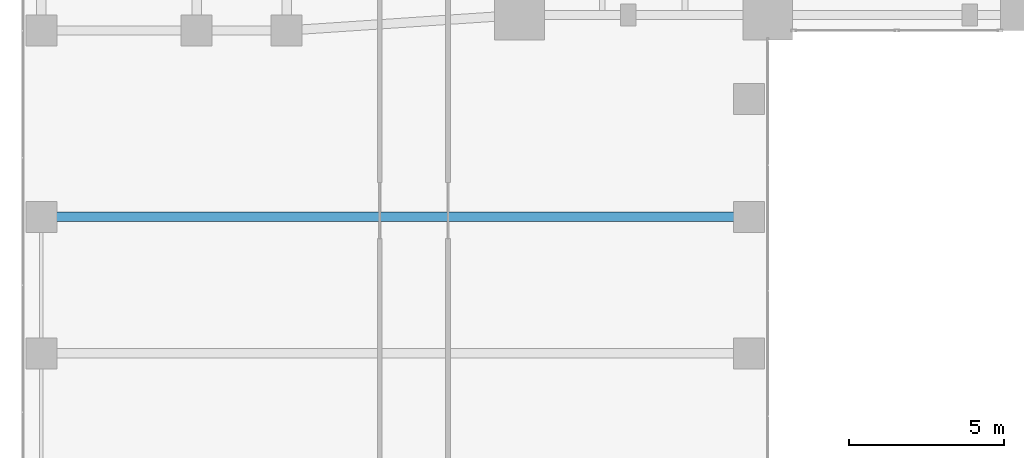
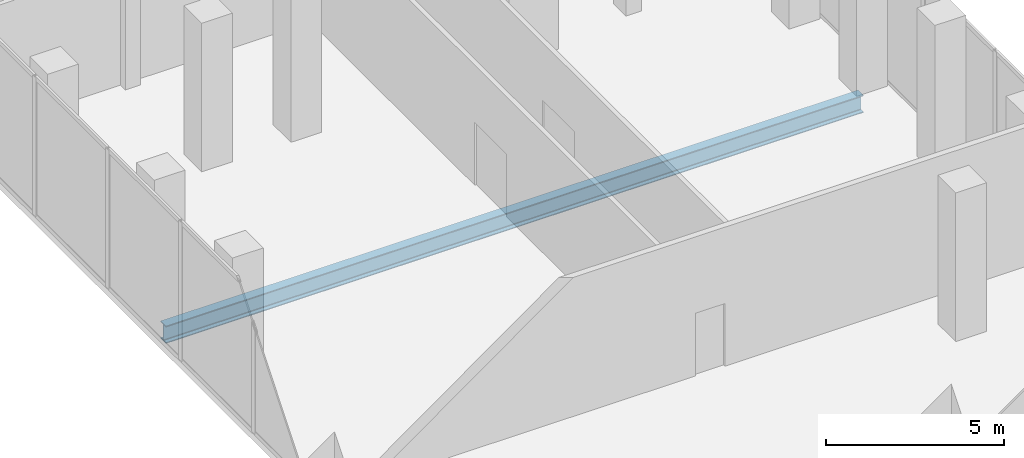
# One storey, part 7 of 24: 1 beam.
"""IFC4 building model written with IfcOpenShell, lengths in metres."""

from ifc_helpers import new_model, si_unit, direction, frame, origin, origin_2d, place, context, subcontext, project, spatial, i_section, extrude, material, material_profile, profile_set, type_object, element, save


model = new_model("IFC4")

# Units and contexts
model_context = context("Model", 3, precision=1e-05, world=origin(), true_north=direction((0.0, 1.0)))
body_context = subcontext(model_context, "Body", "Model", "MODEL_VIEW")
ifc_project = project(units=[si_unit("LENGTHUNIT", "METRE"), si_unit("AREAUNIT", "SQUARE_METRE"), si_unit("VOLUMEUNIT", "CUBIC_METRE"), si_unit("PLANEANGLEUNIT", "RADIAN"), si_unit("MASSUNIT", "GRAM", prefix="KILO")], contexts=[model_context])

# Site, building, storey
site_placement = place(None, origin())
site = spatial("IfcSite", under=ifc_project, at=site_placement, CompositionType="ELEMENT")
building_placement = place(site_placement, origin())
building = spatial("IfcBuilding", under=site, at=building_placement, Name="Catumbela Crestline Tower", CompositionType="ELEMENT")
storey_placement = place(building_placement, frame((0.0, 0.0, 6.0)))
storey = spatial("IfcBuildingStorey", under=building, at=storey_placement, Name="L01", CompositionType="ELEMENT", Elevation=6.0)

# Beam
ifc_material = material(Name="Structural steel S355J2", Category="steel")
ifc_material_profile = material_profile(ifc_material, i_section(OverallWidth=0.3, OverallDepth=0.6, WebThickness=0.0155, FlangeThickness=0.03, FilletRadius=0.027, at=origin_2d()), Name="HEB 600")
ifc_profile_set = profile_set([ifc_material_profile], Name="Structural steel S355J2")
beam_type = type_object("IfcBeamType", Name="BG-HEB600", PredefinedType="BEAM", material=ifc_profile_set)
beam_placement = place(storey_placement, frame((0.68, 18.0, -0.62), z_axis=(1.0, 0.0, 0.0), x_axis=(0.0, 1.0, 0.0)))
element("IfcBeam", 1, at=beam_placement, inside=storey, type_object=beam_type, Name="L01 Beam BM-L01-BLR45", PredefinedType="BEAM", context=body_context, shape_type="SweptSolid", body=[
    extrude(i_section(OverallWidth=0.3, OverallDepth=0.6, WebThickness=0.0155, FlangeThickness=0.03, FilletRadius=0.027, at=origin_2d()), origin(), (0.0, 0.0, 1.0), 22.64),
])

save(model, "model.ifc")
